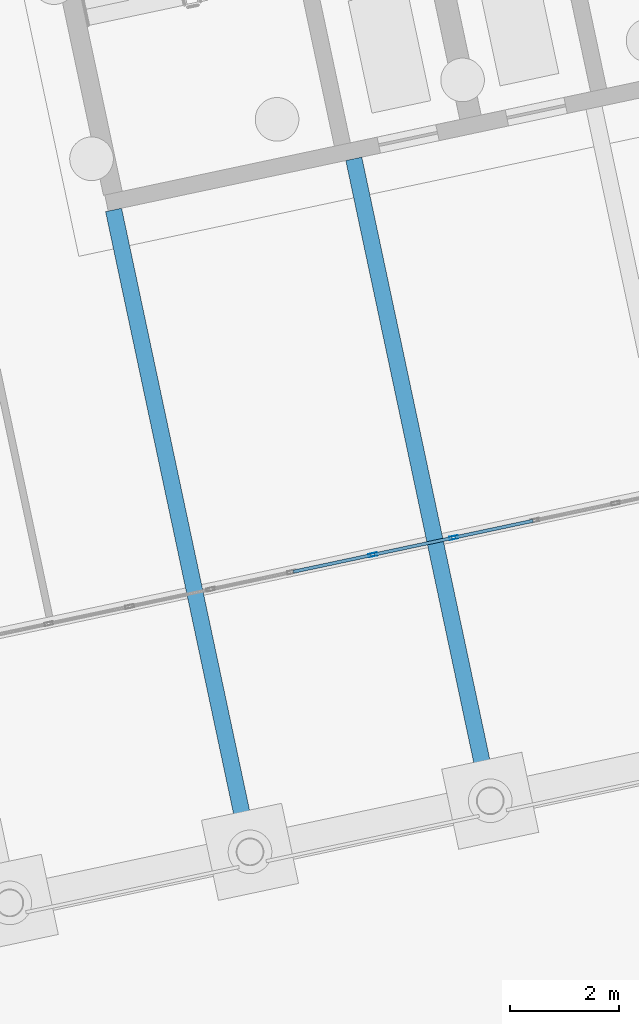
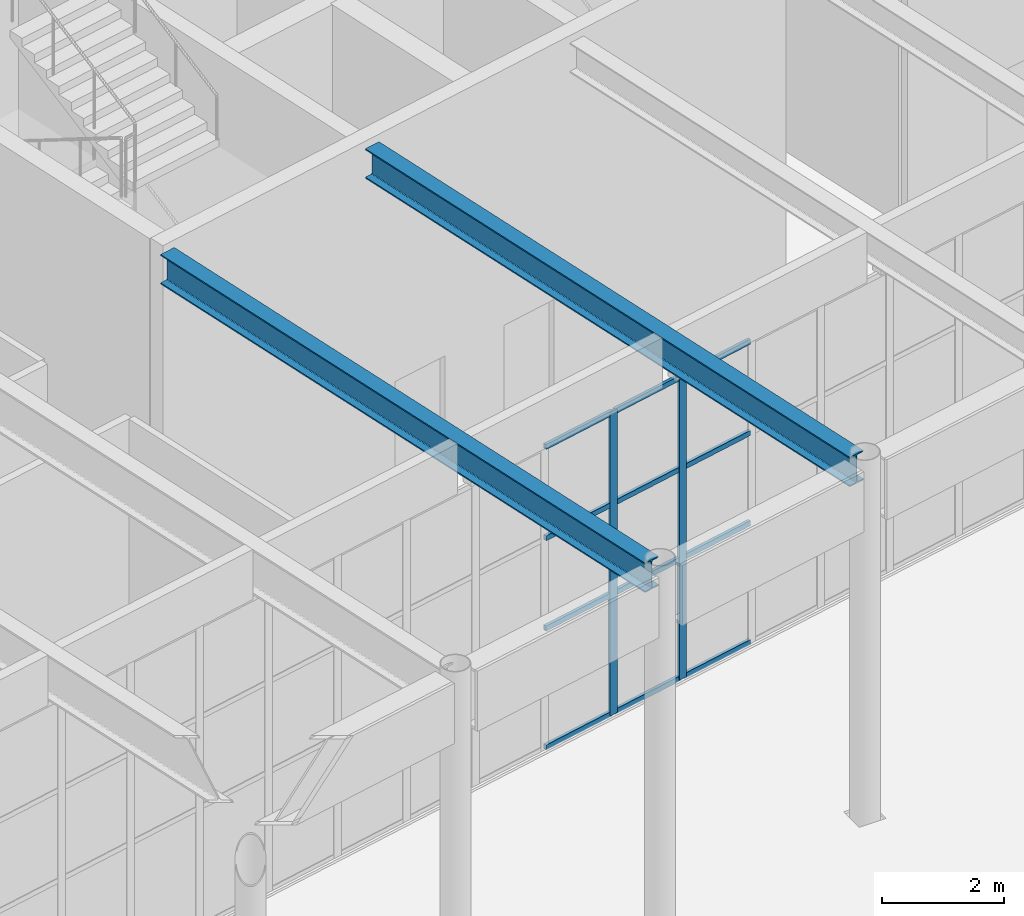
# One storey, part 92 of 239: 14 members, 2 beams, 1 element without a shape of its own.
"""IFC4 building model written with IfcOpenShell, lengths in metres."""

import ifcopenshell
import ifcopenshell.guid

model = None  # the IFC model being written
_history = None  # IfcOwnerHistory: only IFC2X3 demands one
_inside = {}  # id of a spatial element -> (the spatial element, [elements in it])
_under = {}  # id of a project, library or spatial element -> (it, [spatial elements below it])
_declared = {}  # id of a project -> (the project, [libraries it declares])
_typed = {}  # id of a type object -> (the type object, [elements of that type])
_made_of = {}  # id of a material, layer set ... -> (it, [elements and type objects made of it])


def new_model(schema):
    """Start an empty IFC model of exactly this schema.

    Asked for "IFC4X3", IfcOpenShell would pick the latest addendum, in which some entities
    have other attributes; the version numbers below select the first issue.
    IFC2X3 requires an IfcOwnerHistory on every rooted entity: one is made here for all.
    """
    global model, _history
    if schema == "IFC4X3":
        model = ifcopenshell.file(schema_version=(4, 3, 0, 0))
    else:
        model = ifcopenshell.file(schema=schema)
    _inside.clear()
    _under.clear()
    _declared.clear()
    _typed.clear()
    _made_of.clear()
    _history = None
    if model.schema == "IFC2X3":
        org = make("IfcOrganization", Name="unknown")
        user = make(
            "IfcPersonAndOrganization",
            ThePerson=make("IfcPerson", FamilyName="unknown"),
            TheOrganization=org,
        )
        app = make(
            "IfcApplication",
            ApplicationDeveloper=org,
            Version="unknown",
            ApplicationFullName="unknown",
            ApplicationIdentifier="unknown",
        )
        _history = make(
            "IfcOwnerHistory",
            OwningUser=user,
            OwningApplication=app,
            ChangeAction="ADDED",
            CreationDate=0,
        )
    return model


def make(cls, **values):
    """One entity of the class cls with the attributes given. An attribute that is None is left unset."""
    return model.create_entity(
        cls, **{name: value for name, value in values.items() if value is not None}
    )


def rooted(cls, **values):
    """An entity with a GlobalId (a new one), such as an element, a storey or a relation."""
    return make(cls, GlobalId=ifcopenshell.guid.new(), OwnerHistory=_history, **values)


def si_unit(unit_type, name, prefix=None):
    """IfcSIUnit, for example si_unit("LENGTHUNIT", "METRE", prefix="MILLI")."""
    return make("IfcSIUnit", UnitType=unit_type, Prefix=prefix, Name=name)


def assignment(units):
    """IfcUnitAssignment: the units of a project."""
    return None if units is None else make("IfcUnitAssignment", Units=units)


def point(xyz):
    """IfcCartesianPoint."""
    return None if xyz is None else make("IfcCartesianPoint", Coordinates=xyz)


def direction(xyz):
    """IfcDirection."""
    return None if xyz is None else make("IfcDirection", DirectionRatios=xyz)


def frame(location, z_axis=None, x_axis=None):
    """IfcAxis2Placement3D, a coordinate frame: its origin and axes. An axis left out is left unset."""
    return make(
        "IfcAxis2Placement3D",
        Location=point(location),
        Axis=direction(z_axis),
        RefDirection=direction(x_axis),
    )


def frame_2d(location, x_axis=None):
    """IfcAxis2Placement2D, a coordinate frame in the plane: its origin and x axis."""
    return make(
        "IfcAxis2Placement2D", Location=point(location), RefDirection=direction(x_axis)
    )


def origin():
    """The frame at (0, 0, 0) with its axes left unset."""
    return frame((0.0, 0.0, 0.0))


def origin_2d():
    """The frame at (0, 0) in the plane with its x axis left unset."""
    return frame_2d((0.0, 0.0))


def place(relative_to, where):
    """IfcLocalPlacement: puts the frame where relative to a parent placement (None: the world)."""
    return make(
        "IfcLocalPlacement", PlacementRelTo=relative_to, RelativePlacement=where
    )


def context(
    kind, dimensions, precision=None, world=None, true_north=None, identifier=None
):
    """IfcGeometricRepresentationContext, for example the 3D "Model" context."""
    return make(
        "IfcGeometricRepresentationContext",
        ContextIdentifier=identifier,
        ContextType=kind,
        CoordinateSpaceDimension=dimensions,
        Precision=precision,
        WorldCoordinateSystem=world,
        TrueNorth=true_north,
    )


def subcontext(parent, identifier, kind, view, scale=None):
    """IfcGeometricRepresentationSubContext, for example "Body" below "Model"."""
    return make(
        "IfcGeometricRepresentationSubContext",
        ContextIdentifier=identifier,
        ContextType=kind,
        ParentContext=parent,
        TargetScale=scale,
        TargetView=view,
    )


def project(units=None, contexts=None):
    """IfcProject with its units and contexts."""
    return rooted(
        "IfcProject",
        Name="project",
        RepresentationContexts=contexts,
        UnitsInContext=assignment(units),
    )


def spatial(cls, under=None, at=None, **own):
    """A site, building, storey or space (cls), placed at a placement, below another one or the project."""
    s = rooted(cls, ObjectPlacement=at, **own)
    if under is not None:
        _under.setdefault(under.id(), (under, []))[1].append(s)
    return s


def profile(cls, at=None, kind="AREA", **sizes):
    """A parametric profile (cls). Its sizes go by their IFC names, for example OverallWidth=200.0."""
    return make(cls, ProfileType=kind, Position=at, **sizes)


def hollow_rectangle(**sizes):
    """IfcRectangleHollowProfileDef."""
    return profile("IfcRectangleHollowProfileDef", **sizes)


def i_section(**sizes):
    """IfcIShapeProfileDef."""
    return profile("IfcIShapeProfileDef", **sizes)


def extrude(swept, where, along, depth):
    """IfcExtrudedAreaSolid: the profile swept, set in the frame where, extruded along a direction by depth."""
    return make(
        "IfcExtrudedAreaSolid",
        SweptArea=swept,
        Position=where,
        ExtrudedDirection=direction(along),
        Depth=depth,
    )


def shape(context_of_items, identifier, shape_type, items):
    """IfcShapeRepresentation: the items that make up one representation, for example the "Body"."""
    return make(
        "IfcShapeRepresentation",
        ContextOfItems=context_of_items,
        RepresentationIdentifier=identifier,
        RepresentationType=shape_type,
        Items=items,
    )


def material(Name=None, Category=None):
    """IfcMaterial."""
    return make("IfcMaterial", Name=Name, Category=Category)


def material_profile(
    of_material, cross_section, Name=None, Category=None, Priority=None
):
    """IfcMaterialProfile: a cross section and its material."""
    return make(
        "IfcMaterialProfile",
        Name=Name,
        Material=of_material,
        Profile=cross_section,
        Priority=Priority,
        Category=Category,
    )


def profile_set(profiles, Name=None, composite=None):
    """IfcMaterialProfileSet."""
    return make(
        "IfcMaterialProfileSet",
        Name=Name,
        MaterialProfiles=profiles,
        CompositeProfile=composite,
    )


def made_of(thing, what):
    """Note that an element or type object is made of a material, layer set ...; save() writes the relation."""
    if what is not None:
        _made_of.setdefault(what.id(), (what, []))[1].append(thing)
    return thing


def type_object(cls, material=None, **own):
    """A type object (cls), such as IfcWallType, which elements share."""
    return made_of(rooted(cls, **own), material)


def element(
    cls,
    number,
    at=None,
    inside=None,
    cuts=None,
    type_object=None,
    material=None,
    context=None,
    identifier="Body",
    shape_type=None,
    held_by="IfcProductDefinitionShape",
    body=None,
    shapes=None,
    **own,
):
    """One element of the class cls, such as IfcWall. Its Tag is "e" and its number.

    at: its placement. inside: the storey or other place that contains it. cuts: it is an
    opening in that element (IfcRelVoidsElement). A single representation is given by context,
    identifier, shape_type and body (its items); several are given by shapes. held_by: the class
    of the entity that holds the representations. save() writes the other relations.
    """
    e = rooted(cls, Tag="e%d" % number, ObjectPlacement=at, **own)
    if body is not None:
        shapes = [shape(context, identifier, shape_type, body)]
    if shapes is not None:
        e.Representation = make(held_by, Representations=shapes)
    if inside is not None:
        _inside.setdefault(inside.id(), (inside, []))[1].append(e)
    if cuts is not None:
        rooted(
            "IfcRelVoidsElement", RelatingBuildingElement=cuts, RelatedOpeningElement=e
        )
    if type_object is not None:
        _typed.setdefault(type_object.id(), (type_object, []))[1].append(e)
    return made_of(e, material)


def aggregate(whole, parts):
    """IfcRelAggregates: a whole, such as a stair, and the parts it consists of."""
    return rooted("IfcRelAggregates", RelatingObject=whole, RelatedObjects=parts)


def save(model, path):
    """Write the relations noted so far, then the file.

    IfcRelAggregates (storeys below a building ...), IfcRelContainedInSpatialStructure (elements
    in a storey), IfcRelDefinesByType, IfcRelAssociatesMaterial and IfcRelDeclares: one each for
    every whole, place, type object, material and project.
    """
    for whole, parts in _under.values():
        aggregate(whole, parts)
    for where, things in _inside.values():
        rooted(
            "IfcRelContainedInSpatialStructure",
            RelatedElements=things,
            RelatingStructure=where,
        )
    for kind, things in _typed.values():
        rooted("IfcRelDefinesByType", RelatedObjects=things, RelatingType=kind)
    for what, things in _made_of.values():
        rooted("IfcRelAssociatesMaterial", RelatedObjects=things, RelatingMaterial=what)
    for by, libraries in _declared.values():
        rooted("IfcRelDeclares", RelatingContext=by, RelatedDefinitions=libraries)
    model.write(path)


model = new_model("IFC4")

# Units and contexts
model_context = context("Model", 3, precision=1e-05, world=origin(), true_north=direction((0.0, 1.0)))
body_context = subcontext(model_context, "Body", "Model", "MODEL_VIEW")
ifc_project = project(units=[si_unit("LENGTHUNIT", "METRE"), si_unit("AREAUNIT", "SQUARE_METRE"), si_unit("VOLUMEUNIT", "CUBIC_METRE"), si_unit("PLANEANGLEUNIT", "RADIAN"), si_unit("MASSUNIT", "GRAM", prefix="KILO")], contexts=[model_context])

# Site, building, storey
site_placement = place(None, origin())
site = spatial("IfcSite", under=ifc_project, at=site_placement, CompositionType="ELEMENT")
building_placement = place(site_placement, origin())
building = spatial("IfcBuilding", under=site, at=building_placement, Name="Okhra Congress Centre", CompositionType="ELEMENT")
storey_placement = place(building_placement, origin())
storey = spatial("IfcBuildingStorey", under=building, at=storey_placement, Name="L00", CompositionType="ELEMENT", Elevation=0.0)

# Curtain wall, members
ifc_material_1 = material(Name="Aluminium curtain wall, triple glazing", Category="aluminium")
curtain_wall_type = type_object("IfcCurtainWallType", Name="Curtain wall 1500 module", PredefinedType="NOTDEFINED", material=ifc_material_1)
curtain_wall_placement = place(storey_placement, origin())
curtain_wall = element("IfcCurtainWall", 1, at=curtain_wall_placement, inside=storey, type_object=curtain_wall_type, Name="Ground curtain wall S4", PredefinedType="NOTDEFINED")
ifc_material_2 = material(Name="Aluminium alloy EN AW-6063 T66", Category="aluminium")
ifc_material_profile_1 = material_profile(ifc_material_2, hollow_rectangle(XDim=0.06005859375, YDim=0.159912109375, WallThickness=0.00390625, at=origin_2d()), Name="RHS 60x160x4")
ifc_profile_set_1 = profile_set([ifc_material_profile_1], Name="Aluminium alloy EN AW-6063 T66")
member_type_1 = type_object("IfcMemberType", Name="Curtain wall mullion 60x160", PredefinedType="MULLION", material=ifc_profile_set_1)
member_1_placement = place(storey_placement, frame((173.300048828125, 55.640380859375, 0.0), z_axis=(0.0, 0.0, 1.0), x_axis=(-0.207911690818, 0.978147600734, 0.0)))
member_1 = element("IfcMember", 2, at=member_1_placement, type_object=member_type_1, Name="CW7 mullion 18", PredefinedType="MULLION", context=body_context, shape_type="SweptSolid", body=[
    extrude(hollow_rectangle(XDim=0.06005859375, YDim=0.159912109375, WallThickness=0.00390625, at=origin_2d()), origin(), (0.0, 0.0, 1.0), 6.050048828125),
])
member_2_placement = place(storey_placement, frame((174.783935546875, 55.955810546875, 0.0), z_axis=(0.0, 0.0, 1.0), x_axis=(-0.207911690818, 0.978147600734, 0.0)))
member_2 = element("IfcMember", 3, at=member_2_placement, type_object=member_type_1, Name="CW7 mullion 19", PredefinedType="MULLION", context=body_context, shape_type="SweptSolid", body=[
    extrude(hollow_rectangle(XDim=0.06005859375, YDim=0.159912109375, WallThickness=0.00390625, at=origin_2d()), origin(), (0.0, 0.0, 1.0), 6.050048828125),
])
ifc_material_profile_2 = material_profile(ifc_material_2, hollow_rectangle(XDim=0.06005859375, YDim=0.10009765625, WallThickness=0.00390625, at=origin_2d()), Name="RHS 60x100x4")
ifc_profile_set_2 = profile_set([ifc_material_profile_2], Name="Aluminium alloy EN AW-6063 T66")
member_type_2 = type_object("IfcMemberType", Name="Curtain wall transom 60x100", PredefinedType="USERDEFINED", material=ifc_profile_set_2)
member_3_placement = place(storey_placement, frame((171.845458984375, 55.331298828125, 0.030029296875), z_axis=(0.978144370647, 0.2079268866, 0.0), x_axis=(-0.2079268866, 0.978144370647, 0.0)))
member_3 = element("IfcMember", 4, at=member_3_placement, type_object=member_type_2, Name="CW7 transom 17.1", ObjectType="TRANSOM", PredefinedType="USERDEFINED", context=body_context, shape_type="SweptSolid", body=[
    extrude(hollow_rectangle(XDim=0.06005859375, YDim=0.10009765625, WallThickness=0.00390625, at=origin_2d()), origin(), (0.0, 0.0, 1.0), 1.45703125),
])
member_4_placement = place(storey_placement, frame((171.845458984375, 55.331298828125, 2.39990234375), z_axis=(0.978144370647, 0.2079268866, 0.0), x_axis=(-0.2079268866, 0.978144370647, 0.0)))
member_4 = element("IfcMember", 5, at=member_4_placement, type_object=member_type_2, Name="CW7 transom 17.2", ObjectType="TRANSOM", PredefinedType="USERDEFINED", context=body_context, shape_type="SweptSolid", body=[
    extrude(hollow_rectangle(XDim=0.06005859375, YDim=0.10009765625, WallThickness=0.00390625, at=origin_2d()), origin(), (0.0, 0.0, 1.0), 1.45703125),
])
member_5_placement = place(storey_placement, frame((171.845458984375, 55.331298828125, 4.199951171875), z_axis=(0.978144370647, 0.2079268866, 0.0), x_axis=(-0.2079268866, 0.978144370647, 0.0)))
member_5 = element("IfcMember", 6, at=member_5_placement, type_object=member_type_2, Name="CW7 transom 17.3", ObjectType="TRANSOM", PredefinedType="USERDEFINED", context=body_context, shape_type="SweptSolid", body=[
    extrude(hollow_rectangle(XDim=0.06005859375, YDim=0.10009765625, WallThickness=0.00390625, at=origin_2d()), origin(), (0.0, 0.0, 1.0), 1.45703125),
])
member_6_placement = place(storey_placement, frame((171.845458984375, 55.331298828125, 6.02001953125), z_axis=(0.978144370647, 0.2079268866, 0.0), x_axis=(-0.2079268866, 0.978144370647, 0.0)))
member_6 = element("IfcMember", 7, at=member_6_placement, type_object=member_type_2, Name="CW7 transom 17.4", ObjectType="TRANSOM", PredefinedType="USERDEFINED", context=body_context, shape_type="SweptSolid", body=[
    extrude(hollow_rectangle(XDim=0.06005859375, YDim=0.10009765625, WallThickness=0.00390625, at=origin_2d()), origin(), (0.0, 0.0, 1.0), 1.45703125),
])
member_7_placement = place(storey_placement, frame((173.329345703125, 55.646728515625, 0.030029296875), z_axis=(0.978144370647, 0.2079268866, 0.0), x_axis=(-0.2079268866, 0.978144370647, 0.0)))
member_7 = element("IfcMember", 8, at=member_7_placement, type_object=member_type_2, Name="CW7 transom 18.1", ObjectType="TRANSOM", PredefinedType="USERDEFINED", context=body_context, shape_type="SweptSolid", body=[
    extrude(hollow_rectangle(XDim=0.06005859375, YDim=0.10009765625, WallThickness=0.00390625, at=origin_2d()), origin(), (0.0, 0.0, 1.0), 1.45703125),
])
member_8_placement = place(storey_placement, frame((173.329345703125, 55.646728515625, 2.39990234375), z_axis=(0.978144370647, 0.2079268866, 0.0), x_axis=(-0.2079268866, 0.978144370647, 0.0)))
member_8 = element("IfcMember", 9, at=member_8_placement, type_object=member_type_2, Name="CW7 transom 18.2", ObjectType="TRANSOM", PredefinedType="USERDEFINED", context=body_context, shape_type="SweptSolid", body=[
    extrude(hollow_rectangle(XDim=0.06005859375, YDim=0.10009765625, WallThickness=0.00390625, at=origin_2d()), origin(), (0.0, 0.0, 1.0), 1.45703125),
])
member_9_placement = place(storey_placement, frame((173.329345703125, 55.646728515625, 4.199951171875), z_axis=(0.978144370647, 0.2079268866, 0.0), x_axis=(-0.2079268866, 0.978144370647, 0.0)))
member_9 = element("IfcMember", 10, at=member_9_placement, type_object=member_type_2, Name="CW7 transom 18.3", ObjectType="TRANSOM", PredefinedType="USERDEFINED", context=body_context, shape_type="SweptSolid", body=[
    extrude(hollow_rectangle(XDim=0.06005859375, YDim=0.10009765625, WallThickness=0.00390625, at=origin_2d()), origin(), (0.0, 0.0, 1.0), 1.45703125),
])
member_10_placement = place(storey_placement, frame((173.329345703125, 55.646728515625, 6.02001953125), z_axis=(0.978144370647, 0.2079268866, 0.0), x_axis=(-0.2079268866, 0.978144370647, 0.0)))
member_10 = element("IfcMember", 11, at=member_10_placement, type_object=member_type_2, Name="CW7 transom 18.4", ObjectType="TRANSOM", PredefinedType="USERDEFINED", context=body_context, shape_type="SweptSolid", body=[
    extrude(hollow_rectangle(XDim=0.06005859375, YDim=0.10009765625, WallThickness=0.00390625, at=origin_2d()), origin(), (0.0, 0.0, 1.0), 1.45703125),
])
member_11_placement = place(storey_placement, frame((174.813232421875, 55.962158203125, 0.030029296875), z_axis=(0.978144370647, 0.2079268866, 0.0), x_axis=(-0.2079268866, 0.978144370647, 0.0)))
member_11 = element("IfcMember", 12, at=member_11_placement, type_object=member_type_2, Name="CW7 transom 19.1", ObjectType="TRANSOM", PredefinedType="USERDEFINED", context=body_context, shape_type="SweptSolid", body=[
    extrude(hollow_rectangle(XDim=0.06005859375, YDim=0.10009765625, WallThickness=0.00390625, at=origin_2d()), origin(), (0.0, 0.0, 1.0), 1.45703125),
])
member_12_placement = place(storey_placement, frame((174.813232421875, 55.962158203125, 2.39990234375), z_axis=(0.978144370647, 0.2079268866, 0.0), x_axis=(-0.2079268866, 0.978144370647, 0.0)))
member_12 = element("IfcMember", 13, at=member_12_placement, type_object=member_type_2, Name="CW7 transom 19.2", ObjectType="TRANSOM", PredefinedType="USERDEFINED", context=body_context, shape_type="SweptSolid", body=[
    extrude(hollow_rectangle(XDim=0.06005859375, YDim=0.10009765625, WallThickness=0.00390625, at=origin_2d()), origin(), (0.0, 0.0, 1.0), 1.45703125),
])
member_13_placement = place(storey_placement, frame((174.813232421875, 55.962158203125, 4.199951171875), z_axis=(0.978144370647, 0.2079268866, 0.0), x_axis=(-0.2079268866, 0.978144370647, 0.0)))
member_13 = element("IfcMember", 14, at=member_13_placement, type_object=member_type_2, Name="CW7 transom 19.3", ObjectType="TRANSOM", PredefinedType="USERDEFINED", context=body_context, shape_type="SweptSolid", body=[
    extrude(hollow_rectangle(XDim=0.06005859375, YDim=0.10009765625, WallThickness=0.00390625, at=origin_2d()), origin(), (0.0, 0.0, 1.0), 1.45703125),
])
member_14_placement = place(storey_placement, frame((174.813232421875, 55.962158203125, 6.02001953125), z_axis=(0.978144370647, 0.2079268866, 0.0), x_axis=(-0.2079268866, 0.978144370647, 0.0)))
member_14 = element("IfcMember", 15, at=member_14_placement, type_object=member_type_2, Name="CW7 transom 19.4", ObjectType="TRANSOM", PredefinedType="USERDEFINED", context=body_context, shape_type="SweptSolid", body=[
    extrude(hollow_rectangle(XDim=0.06005859375, YDim=0.10009765625, WallThickness=0.00390625, at=origin_2d()), origin(), (0.0, 0.0, 1.0), 1.45703125),
])
aggregate(curtain_wall, [member_1, member_2, member_3, member_4, member_5, member_6, member_7, member_8, member_9, member_10, member_11, member_12, member_13, member_14])

# Beams
ifc_material_3 = material(Name="Steel S355J2", Category="steel")
ifc_material_profile_3 = material_profile(ifc_material_3, i_section(OverallWidth=0.300048828125, OverallDepth=0.590087890625, WebThickness=0.012939453125, FlangeThickness=0.02490234375, FilletRadius=0.027099609375, at=origin_2d()), Name="HE 600 A")
ifc_profile_set_3 = profile_set([ifc_material_profile_3], Name="Steel S355J2")
beam_type = type_object("IfcBeamType", Name="Floor beam HE 600 A", PredefinedType="BEAM", material=ifc_profile_set_3)
beam_1_placement = place(storey_placement, frame((171.010986328125, 50.39501953125, 6.7548828125), z_axis=(-0.207910117102, 0.978147935236, 0.0), x_axis=(-0.978147935236, -0.207910117102, 0.0)))
element("IfcBeam", 16, at=beam_1_placement, inside=storey, type_object=beam_type, Name="Floor beam 25.1", PredefinedType="BEAM", context=body_context, shape_type="SweptSolid", body=[
    extrude(i_section(OverallWidth=0.300048828125, OverallDepth=0.590087890625, WebThickness=0.012939453125, FlangeThickness=0.02490234375, FilletRadius=0.027099609375, at=origin_2d()), origin(), (0.0, 0.0, 1.0), 11.82470703125),
])
beam_2_placement = place(storey_placement, frame((175.41259765625, 51.33056640625, 6.7548828125), z_axis=(-0.207905918374, 0.978148827687, 0.0), x_axis=(-0.978148827687, -0.207905918374, 0.0)))
element("IfcBeam", 17, at=beam_2_placement, inside=storey, type_object=beam_type, Name="Floor beam 26.1", PredefinedType="BEAM", context=body_context, shape_type="SweptSolid", body=[
    extrude(i_section(OverallWidth=0.300048828125, OverallDepth=0.590087890625, WebThickness=0.012939453125, FlangeThickness=0.02490234375, FilletRadius=0.027099609375, at=origin_2d()), origin(), (0.0, 0.0, 1.0), 11.824951171875),
])

save(model, "model.ifc")
